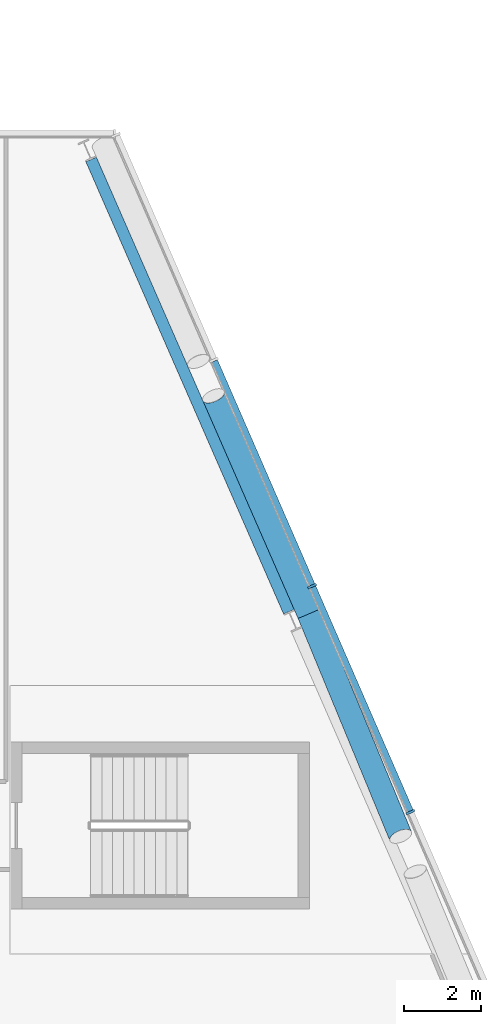
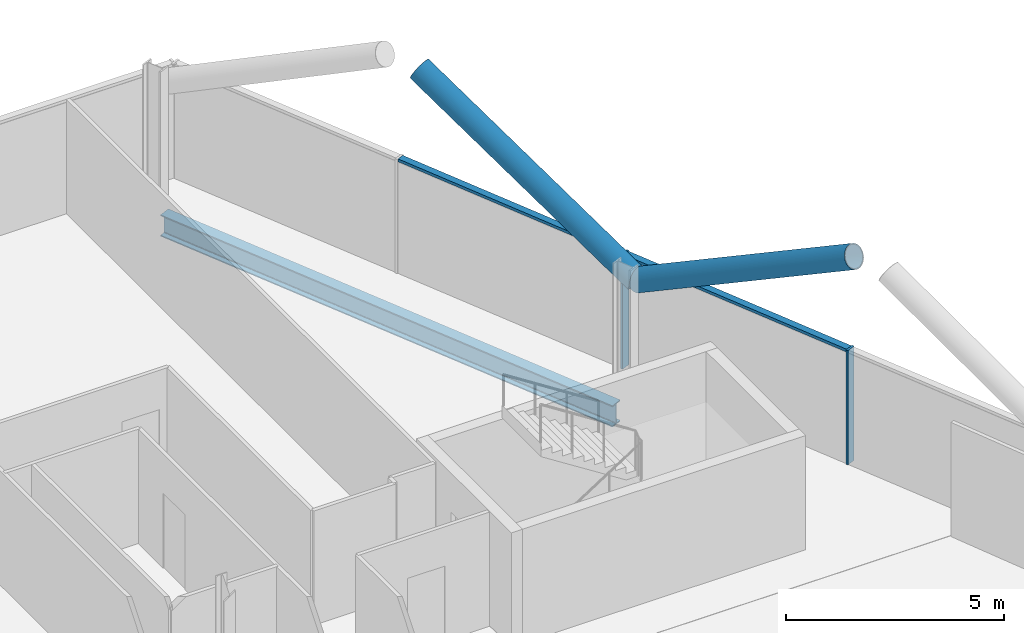
# One storey, part 9 of 25: 6 members, 1 beam, 1 element without a shape of its own.
"""IFC4 building model written with IfcOpenShell, lengths in metres."""

from ifc_helpers import new_model, si_unit, direction, frame, origin, origin_2d, place, context, subcontext, project, spatial, rectangle, hollow_circle, i_section, extrude, material, material_profile, profile_set, type_object, element, aggregate, save


model = new_model("IFC4")

# Units and contexts
model_context = context("Model", 3, precision=1e-05, world=origin(), true_north=direction((0.0, 1.0)))
body_context = subcontext(model_context, "Body", "Model", "MODEL_VIEW")
ifc_project = project(units=[si_unit("LENGTHUNIT", "METRE"), si_unit("AREAUNIT", "SQUARE_METRE"), si_unit("VOLUMEUNIT", "CUBIC_METRE"), si_unit("PLANEANGLEUNIT", "RADIAN"), si_unit("MASSUNIT", "GRAM", prefix="KILO")], contexts=[model_context])

# Site, building, storey
site_placement = place(None, origin())
site = spatial("IfcSite", under=ifc_project, at=site_placement, CompositionType="ELEMENT")
building_placement = place(site_placement, origin())
building = spatial("IfcBuilding", under=site, at=building_placement, Name="Wharfspan Tower", CompositionType="ELEMENT")
storey_placement = place(building_placement, frame((0.0, 0.0, 225.100098)))
storey = spatial("IfcBuildingStorey", under=building, at=storey_placement, Name="L56", CompositionType="ELEMENT", Elevation=225.100098)

# Beam
ifc_material_1 = material(Name="Steel S355J2", Category="steel")
ifc_material_profile_1 = material_profile(ifc_material_1, i_section(OverallWidth=0.300049, OverallDepth=0.600098, WebThickness=0.015381, FlangeThickness=0.030029, FilletRadius=0.0271, at=origin_2d()))
ifc_profile_set_1 = profile_set([ifc_material_profile_1], Name="Steel S355J2")
beam_type = type_object("IfcBeamType", Name="Edge beam HEB 600", PredefinedType="SPANDREL", material=ifc_profile_set_1)
beam_placement = place(storey_placement, frame((74.13208, 29.53125, -0.700195), z_axis=(-0.400619, 0.916245, 0.0), x_axis=(-0.916245, -0.400619, 0.0)))
element("IfcBeam", 1, at=beam_placement, inside=storey, type_object=beam_type, Name="Edge beam E L56 PE.2 to PE.3", PredefinedType="SPANDREL", context=body_context, shape_type="SweptSolid", body=[
    extrude(i_section(OverallWidth=0.300049, OverallDepth=0.600098, WebThickness=0.015381, FlangeThickness=0.030029, FilletRadius=0.0271, at=origin_2d()), origin(), (0.0, 0.0, 1.0), 12.883545),
])

# Curtain wall, members
ifc_material_2 = material(Name="Aluminium 6063-T6", Category="aluminium")
curtain_wall_type = type_object("IfcCurtainWallType", Name="CURTAIN WALL PROW AND END", PredefinedType="NOTDEFINED", material=ifc_material_2)
curtain_wall_placement = place(storey_placement, origin())
curtain_wall = element("IfcCurtainWall", 2, at=curtain_wall_placement, inside=storey, type_object=curtain_wall_type, Name="Curtain wall E", PredefinedType="NOTDEFINED")
ifc_material_profile_2 = material_profile(ifc_material_2, rectangle(XDim=0.23999, YDim=0.060059, at=origin_2d()))
ifc_profile_set_2 = profile_set([ifc_material_profile_2], Name="Aluminium 6063-T6")
member_type_1 = type_object("IfcMemberType", Name="MULLION PROW AND END 60x240", PredefinedType="MULLION", material=ifc_profile_set_2)
member_1_placement = place(storey_placement, frame((77.304443, 24.300049, 0.0), z_axis=(0.0, 0.0, 1.0), x_axis=(-0.917072, -0.398727, 0.0)))
member_1 = element("IfcMember", 3, at=member_1_placement, type_object=member_type_1, Name="Curtain wall E mullion 4", PredefinedType="MULLION", context=body_context, shape_type="SweptSolid", body=[
    extrude(rectangle(XDim=0.23999, YDim=0.060059, at=origin_2d()), origin(), (0.0, 0.0, 1.0), 3.199951),
])
member_2_placement = place(storey_placement, frame((74.739014, 30.199951, 0.0), z_axis=(0.0, 0.0, 1.0), x_axis=(-0.917072, -0.398727, 0.0)))
member_2 = element("IfcMember", 4, at=member_2_placement, type_object=member_type_1, Name="Curtain wall E mullion 5", PredefinedType="MULLION", context=body_context, shape_type="SweptSolid", body=[
    extrude(rectangle(XDim=0.23999, YDim=0.060059, at=origin_2d()), origin(), (0.0, 0.0, 1.0), 3.199951),
])

# Members
ifc_material_3 = material(Name="Steel S460NH", Category="steel")
ifc_material_profile_3 = material_profile(ifc_material_3, hollow_circle(Radius=0.304932, WallThickness=0.024902, at=origin_2d()))
ifc_profile_set_3 = profile_set([ifc_material_profile_3], Name="Steel S460NH")
member_type_2 = type_object("IfcMemberType", Name="Mega brace CHS 610x25", PredefinedType="BRACE", material=ifc_profile_set_3)
member_3_placement = place(storey_placement, frame((74.652588, 29.476318, 2.899902), z_axis=(0.337038, -0.81638, 0.468967), x_axis=(0.924329, 0.381603, -2e-06)))
element("IfcMember", 5, at=member_3_placement, inside=storey, type_object=member_type_2, Name="Mega brace E5 L57 part 3", PredefinedType="BRACE", context=body_context, shape_type="SweptSolid", body=[
    extrude(hollow_circle(Radius=0.304932, WallThickness=0.024902, at=origin_2d()), origin(), (0.0, 0.0, 1.0), 7.106201),
])
member_4_placement = place(storey_placement, frame((74.652588, 29.476318, 2.899902), z_axis=(-0.352889, 0.807113, 0.473327), x_axis=(-0.916248, -0.400606, 1e-06)))
element("IfcMember", 6, at=member_4_placement, inside=storey, type_object=member_type_2, Name="Mega brace E6 L57 part 1", PredefinedType="BRACE", context=body_context, shape_type="SweptSolid", body=[
    extrude(hollow_circle(Radius=0.304932, WallThickness=0.024902, at=origin_2d()), origin(), (0.0, 0.0, 1.0), 7.042236),
])

# Member
ifc_material_profile_4 = material_profile(ifc_material_2, rectangle(XDim=0.179932, YDim=0.080078, at=origin_2d()))
ifc_profile_set_4 = profile_set([ifc_material_profile_4], Name="Aluminium 6063-T6")
member_type_3 = type_object("IfcMemberType", Name="TRANSOM PROW AND END 80x180", PredefinedType="USERDEFINED", material=ifc_profile_set_4)
member_5_placement = place(storey_placement, frame((77.29248, 24.327393, 3.159912), z_axis=(-0.39874, 0.917064, 0.0), x_axis=(-0.917064, -0.39874, 0.0)))
member_5 = element("IfcMember", 7, at=member_5_placement, type_object=member_type_3, Name="Curtain wall E transom 4", ObjectType="TRANSOM", PredefinedType="USERDEFINED", context=body_context, shape_type="SweptSolid", body=[
    extrude(rectangle(XDim=0.179932, YDim=0.080078, at=origin_2d()), origin(), (0.0, 0.0, 1.0), 6.373779),
])

member_6_placement = place(storey_placement, frame((74.727051, 30.227539, 3.159912), z_axis=(-0.398722, 0.917072, 0.0), x_axis=(-0.917072, -0.398722, 0.0)))
member_6 = element("IfcMember", 8, at=member_6_placement, type_object=member_type_3, Name="Curtain wall E transom 5", ObjectType="TRANSOM", PredefinedType="USERDEFINED", context=body_context, shape_type="SweptSolid", body=[
    extrude(rectangle(XDim=0.179932, YDim=0.080078, at=origin_2d()), origin(), (0.0, 0.0, 1.0), 6.373535),
])

aggregate(curtain_wall, [member_1, member_2, member_5, member_6])

save(model, "model.ifc")
